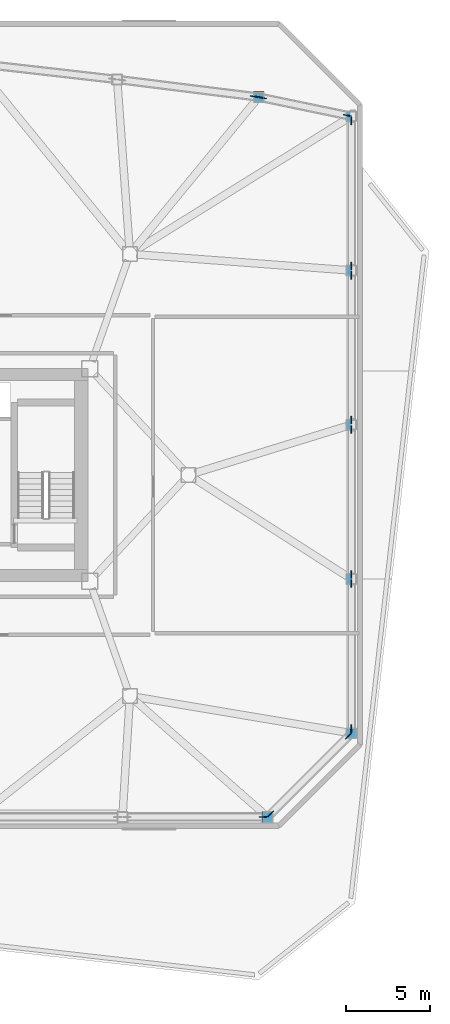
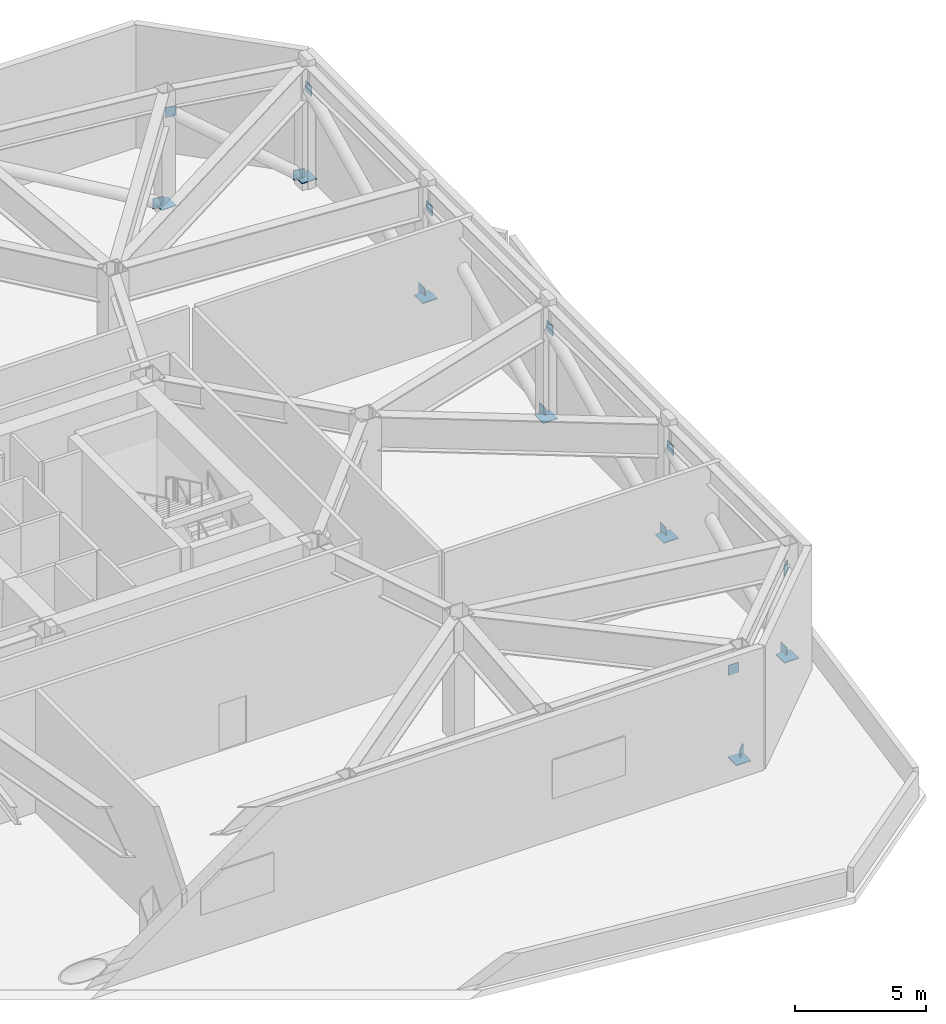
# One storey, part 11 of 12: 21 discrete accessories.
"""IFC4 building model written with IfcOpenShell, lengths in metres."""

from ifc_helpers import new_model, si_unit, direction, frame, origin, origin_2d, place, context, subcontext, project, spatial, rectangle, extrude, material, type_object, element, save


model = new_model("IFC4")

# Units and contexts
model_context = context("Model", 3, precision=1e-05, world=origin(), true_north=direction((0.0, 1.0)))
body_context = subcontext(model_context, "Body", "Model", "MODEL_VIEW")
ifc_project = project(units=[si_unit("LENGTHUNIT", "METRE"), si_unit("AREAUNIT", "SQUARE_METRE"), si_unit("VOLUMEUNIT", "CUBIC_METRE"), si_unit("PLANEANGLEUNIT", "RADIAN"), si_unit("MASSUNIT", "GRAM", prefix="KILO")], contexts=[model_context])

# Site, building, storey
site_placement = place(None, origin())
site = spatial("IfcSite", under=ifc_project, at=site_placement, CompositionType="ELEMENT")
building_placement = place(site_placement, origin())
building = spatial("IfcBuilding", under=site, at=building_placement, Name="Tavrogorsk Clinical Tower", CompositionType="ELEMENT")
storey_placement = place(building_placement, frame((0.0, 0.0, 146.199951171875)))
storey = spatial("IfcBuildingStorey", under=building, at=storey_placement, Name="L33", CompositionType="ELEMENT", Elevation=146.199951171875)

# Discrete accessories
ifc_material_1 = material(Name="Structural steel S440", Category="steel")
discrete_accessory_type_1 = type_object("IfcDiscreteAccessoryType", Name="GussetPlateBracket_25", PredefinedType="BRACKET", material=ifc_material_1)
for number, where, z_axis, x_axis, name in (
    (1, (32.44580078125, -20.419921875, 4.419677734375), (0.0, 0.0, 1.0), (1.0, 0.0, 0.0), "L33 Brace Gusset Plate EXOBELT-L33-07-B"),
    (2, (32.904541015625, -20.235595703125, 0.283935546875), (0.0, 0.0, 1.0), (0.707106781187, 0.707106781187, 0.0), "L33 Brace Gusset Plate EXOBELT-L33-08-A"),
    (3, (37.53564453125, -15.6044921875, 4.396240234375), (0.0, 0.0, 1.0), (0.707106781187, 0.707106781187, 0.0), "L33 Brace Gusset Plate EXOBELT-L33-08-B"),
    (4, (37.719970703125, -15.142578125, 0.25390625), (0.0, 0.0, 1.0), (0.0, 1.0, 0.0), "L33 Brace Gusset Plate EXOBELT-L33-09-A"),
    (5, (37.719970703125, -6.487548828125, 4.42626953125), (0.0, 0.0, 1.0), (0.0, 1.0, 0.0), "L33 Brace Gusset Plate EXOBELT-L33-09-B"),
    (6, (37.719970703125, -5.9326171875, 0.25390625), (0.0, 0.0, 1.0), (0.0, 1.0, 0.0), "L33 Brace Gusset Plate EXOBELT-L33-10-A"),
    (7, (37.719970703125, 2.72265625, 4.42626953125), (0.0, 0.0, 1.0), (0.0, 1.0, 0.0), "L33 Brace Gusset Plate EXOBELT-L33-10-B"),
    (8, (37.719970703125, 3.27734375, 0.25390625), (0.0, 0.0, 1.0), (0.0, 1.0, 0.0), "L33 Brace Gusset Plate EXOBELT-L33-11-A"),
    (9, (37.719970703125, 11.9326171875, 4.42626953125), (0.0, 0.0, 1.0), (0.0, 1.0, 0.0), "L33 Brace Gusset Plate EXOBELT-L33-11-B"),
    (10, (37.719970703125, 12.487548828125, 0.25390625), (0.0, 0.0, 1.0), (0.0, 1.0, 0.0), "L33 Brace Gusset Plate EXOBELT-L33-12-A"),
    (11, (37.719970703125, 21.142578125, 4.42626953125), (0.0, 0.0, 1.0), (0.0, 1.0, 0.0), "L33 Brace Gusset Plate EXOBELT-L33-12-B"),
    (12, (37.48291015625, 21.46923828125, 0.310546875), (0.0, 0.0, 1.0), (-0.979187402648, 0.202958198889, 0.0), "L33 Brace Gusset Plate EXOBELT-L33-13-A"),
    (13, (32.428466796875, 22.516845703125, 4.36962890625), (0.0, 0.0, 1.0), (-0.979187402648, 0.202958198889, 0.0), "L33 Brace Gusset Plate EXOBELT-L33-13-B"),
    (14, (31.920166015625, 22.599609375, 0.262451171875), (0.0, 0.0, 1.0), (-0.992353495299, 0.123428280263, 0.0), "L33 Brace Gusset Plate EXOBELT-L33-14-A"),
):
    element("IfcDiscreteAccessory", number, at=place(storey_placement, frame(where, z_axis=z_axis, x_axis=x_axis)), inside=storey, type_object=discrete_accessory_type_1, Name=name, PredefinedType="BRACKET", context=body_context, shape_type="SweptSolid", body=[
        extrude(rectangle(XDim=0.4599609375, YDim=0.0400390625, at=origin_2d()), origin(), (0.0, 0.0, 1.0), 0.4599609375),
    ])
ifc_material_2 = material(Name="Structural steel S440", Category="steel")
discrete_accessory_type_2 = type_object("IfcDiscreteAccessoryType", Name="TrussEndCapBracket", PredefinedType="BRACKET", material=ifc_material_2)
for number, where, z_axis, x_axis, name in (
    (15, (32.719970703125, -20.419921875, 0.330078125), (0.0, 0.0, 1.0), (1.0, 0.0, 0.0), "L33 Hollow Node End Cap S8"),
    (16, (37.719970703125, -15.419921875, 0.330078125), (0.0, 0.0, 1.0), (1.0, 0.0, 0.0), "L33 Hollow Node End Cap E1"),
    (17, (37.719970703125, -6.2099609375, 0.330078125), (0.0, 0.0, 1.0), (1.0, 0.0, 0.0), "L33 Hollow Node End Cap E2"),
    (18, (37.719970703125, 3.0, 0.330078125), (0.0, 0.0, 1.0), (1.0, 0.0, 0.0), "L33 Hollow Node End Cap E3"),
    (19, (37.719970703125, 12.2099609375, 0.330078125), (0.0, 0.0, 1.0), (1.0, 0.0, 0.0), "L33 Hollow Node End Cap E4"),
    (20, (37.719970703125, 21.419921875, 0.330078125), (0.0, 0.0, 1.0), (1.0, 0.0, 0.0), "L33 Hollow Node End Cap E5"),
    (21, (32.19140625, 22.56591796875, 0.330078125), (0.0, 0.0, 1.0), (1.0, 0.0, 0.0), "L33 Hollow Node End Cap N1"),
):
    element("IfcDiscreteAccessory", number, at=place(storey_placement, frame(where, z_axis=z_axis, x_axis=x_axis)), inside=storey, type_object=discrete_accessory_type_2, Name=name, PredefinedType="BRACKET", context=body_context, shape_type="SweptSolid", body=[
        extrude(rectangle(XDim=0.64990234375, YDim=0.64990234375, at=origin_2d()), origin(), (0.0, 0.0, 1.0), 0.0400390625),
    ])

save(model, "model.ifc")
